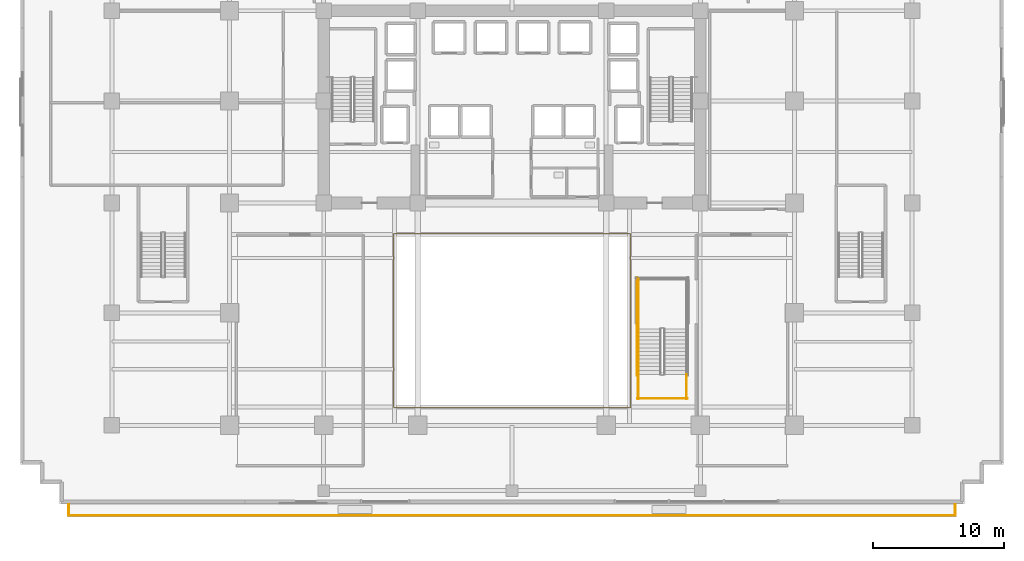
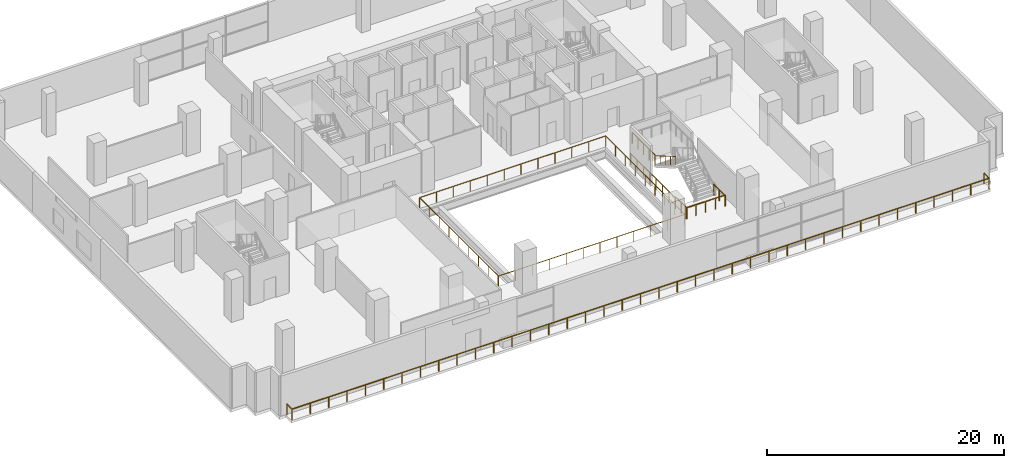
# One storey, part 18 of 22: 8 railings.
"""IFC4 building model written with IfcOpenShell, lengths in metres."""

from ifc_helpers import new_model, si_unit, direction, frame, origin, origin_2d, place, context, subcontext, project, spatial, rectangle, extrude, material, type_object, element, save


model = new_model("IFC4")

# Units and contexts
model_context = context("Model", 3, precision=1e-05, world=origin(), true_north=direction((0.0, 1.0)))
body_context = subcontext(model_context, "Body", "Model", "MODEL_VIEW")
ifc_project = project(units=[si_unit("LENGTHUNIT", "METRE"), si_unit("AREAUNIT", "SQUARE_METRE"), si_unit("VOLUMEUNIT", "CUBIC_METRE"), si_unit("PLANEANGLEUNIT", "RADIAN"), si_unit("MASSUNIT", "GRAM", prefix="KILO")], contexts=[model_context])

# Site, building, storey
site_placement = place(None, origin())
site = spatial("IfcSite", under=ifc_project, at=site_placement, CompositionType="ELEMENT")
building_placement = place(site_placement, origin())
building = spatial("IfcBuilding", under=site, at=building_placement, Name="Zarnakvel Exchange Tower", CompositionType="ELEMENT")
storey_placement = place(building_placement, frame((0.0, 0.0, 9.39990234375)))
storey = spatial("IfcBuildingStorey", under=building, at=storey_placement, Name="L02", CompositionType="ELEMENT", Elevation=9.39990234375)

# Railings
ifc_material_1 = material(Name="Architectural Bronze Anodised Aluminium", Category="aluminium")
railing_type_1 = type_object("IfcRailingType", Name="GR-02", PredefinedType="GUARDRAIL", material=ifc_material_1)
railing_1_placement = place(storey_placement, frame((-33.89990234375, -24.25, 0.0)))
element("IfcRailing", 1, at=railing_1_placement, inside=storey, type_object=railing_type_1, Name="L02 Podium Terrace Perimeter Guardrail", PredefinedType="GUARDRAIL", context=body_context, shape_type="SweptSolid", body=[
    extrude(rectangle(XDim=0.048095703125, YDim=0.048095703125, at=origin_2d()), frame((0.0, 0.0, 1.09619140625), z_axis=(0.0, -1.0, 0.0), x_axis=(1.0, 0.0, 0.0)), (0.0, 0.0, 1.0), 0.85009765625),
    extrude(rectangle(XDim=0.048095703125, YDim=0.048095703125, at=origin_2d()), frame((0.0, -0.85009765625, 1.09619140625), z_axis=(1.0, 0.0, 0.0), x_axis=(0.0, 1.0, 0.0)), (0.0, 0.0, 1.0), 67.7998046875),
    extrude(rectangle(XDim=0.048095703125, YDim=0.048095703125, at=origin_2d()), frame((67.7998046875, -0.85009765625, 1.09619140625), z_axis=(0.0, 1.0, 0.0), x_axis=(-1.0, 0.0, 0.0)), (0.0, 0.0, 1.0), 0.85009765625),
    extrude(rectangle(XDim=0.0419921875, YDim=0.0419921875, at=origin_2d()), origin(), (0.0, 0.0, 1.0), 1.072021484375),
    extrude(rectangle(XDim=0.0419921875, YDim=0.0419921875, at=origin_2d()), frame((0.0, -0.85009765625, 0.0)), (0.0, 0.0, 1.0), 1.072021484375),
    extrude(rectangle(XDim=0.0419921875, YDim=0.0419921875, at=origin_2d()), frame((1.7841796875, -0.85009765625, 0.0)), (0.0, 0.0, 1.0), 1.072021484375),
    extrude(rectangle(XDim=0.0419921875, YDim=0.0419921875, at=origin_2d()), frame((3.568359375, -0.85009765625, 0.0)), (0.0, 0.0, 1.0), 1.072021484375),
    extrude(rectangle(XDim=0.0419921875, YDim=0.0419921875, at=origin_2d()), frame((5.3525390625, -0.85009765625, 0.0)), (0.0, 0.0, 1.0), 1.072021484375),
    extrude(rectangle(XDim=0.0419921875, YDim=0.0419921875, at=origin_2d()), frame((7.13671875, -0.85009765625, 0.0)), (0.0, 0.0, 1.0), 1.072021484375),
    extrude(rectangle(XDim=0.0419921875, YDim=0.0419921875, at=origin_2d()), frame((8.921142578125, -0.85009765625, 0.0)), (0.0, 0.0, 1.0), 1.072021484375),
    extrude(rectangle(XDim=0.0419921875, YDim=0.0419921875, at=origin_2d()), frame((10.705322265625, -0.85009765625, 0.0)), (0.0, 0.0, 1.0), 1.072021484375),
    extrude(rectangle(XDim=0.0419921875, YDim=0.0419921875, at=origin_2d()), frame((12.489501953125, -0.85009765625, 0.0)), (0.0, 0.0, 1.0), 1.072021484375),
    extrude(rectangle(XDim=0.0419921875, YDim=0.0419921875, at=origin_2d()), frame((14.273681640625, -0.85009765625, 0.0)), (0.0, 0.0, 1.0), 1.072021484375),
    extrude(rectangle(XDim=0.0419921875, YDim=0.0419921875, at=origin_2d()), frame((16.057861328125, -0.85009765625, 0.0)), (0.0, 0.0, 1.0), 1.072021484375),
    extrude(rectangle(XDim=0.0419921875, YDim=0.0419921875, at=origin_2d()), frame((17.842041015625, -0.85009765625, 0.0)), (0.0, 0.0, 1.0), 1.072021484375),
    extrude(rectangle(XDim=0.0419921875, YDim=0.0419921875, at=origin_2d()), frame((19.626220703125, -0.85009765625, 0.0)), (0.0, 0.0, 1.0), 1.072021484375),
    extrude(rectangle(XDim=0.0419921875, YDim=0.0419921875, at=origin_2d()), frame((21.410400390625, -0.85009765625, 0.0)), (0.0, 0.0, 1.0), 1.072021484375),
    extrude(rectangle(XDim=0.0419921875, YDim=0.0419921875, at=origin_2d()), frame((23.194580078125, -0.85009765625, 0.0)), (0.0, 0.0, 1.0), 1.072021484375),
    extrude(rectangle(XDim=0.0419921875, YDim=0.0419921875, at=origin_2d()), frame((24.978759765625, -0.85009765625, 0.0)), (0.0, 0.0, 1.0), 1.072021484375),
    extrude(rectangle(XDim=0.0419921875, YDim=0.0419921875, at=origin_2d()), frame((26.76318359375, -0.85009765625, 0.0)), (0.0, 0.0, 1.0), 1.072021484375),
    extrude(rectangle(XDim=0.0419921875, YDim=0.0419921875, at=origin_2d()), frame((28.54736328125, -0.85009765625, 0.0)), (0.0, 0.0, 1.0), 1.072021484375),
    extrude(rectangle(XDim=0.0419921875, YDim=0.0419921875, at=origin_2d()), frame((30.33154296875, -0.85009765625, 0.0)), (0.0, 0.0, 1.0), 1.072021484375),
    extrude(rectangle(XDim=0.0419921875, YDim=0.0419921875, at=origin_2d()), frame((32.11572265625, -0.85009765625, 0.0)), (0.0, 0.0, 1.0), 1.072021484375),
    extrude(rectangle(XDim=0.0419921875, YDim=0.0419921875, at=origin_2d()), frame((33.89990234375, -0.85009765625, 0.0)), (0.0, 0.0, 1.0), 1.072021484375),
    extrude(rectangle(XDim=0.0419921875, YDim=0.0419921875, at=origin_2d()), frame((35.68408203125, -0.85009765625, 0.0)), (0.0, 0.0, 1.0), 1.072021484375),
    extrude(rectangle(XDim=0.0419921875, YDim=0.0419921875, at=origin_2d()), frame((37.46826171875, -0.85009765625, 0.0)), (0.0, 0.0, 1.0), 1.072021484375),
    extrude(rectangle(XDim=0.0419921875, YDim=0.0419921875, at=origin_2d()), frame((39.25244140625, -0.85009765625, 0.0)), (0.0, 0.0, 1.0), 1.072021484375),
    extrude(rectangle(XDim=0.0419921875, YDim=0.0419921875, at=origin_2d()), frame((41.03662109375, -0.85009765625, 0.0)), (0.0, 0.0, 1.0), 1.072021484375),
    extrude(rectangle(XDim=0.0419921875, YDim=0.0419921875, at=origin_2d()), frame((42.821044921875, -0.85009765625, 0.0)), (0.0, 0.0, 1.0), 1.072021484375),
    extrude(rectangle(XDim=0.0419921875, YDim=0.0419921875, at=origin_2d()), frame((44.605224609375, -0.85009765625, 0.0)), (0.0, 0.0, 1.0), 1.072021484375),
    extrude(rectangle(XDim=0.0419921875, YDim=0.0419921875, at=origin_2d()), frame((46.389404296875, -0.85009765625, 0.0)), (0.0, 0.0, 1.0), 1.072021484375),
    extrude(rectangle(XDim=0.0419921875, YDim=0.0419921875, at=origin_2d()), frame((48.173583984375, -0.85009765625, 0.0)), (0.0, 0.0, 1.0), 1.072021484375),
    extrude(rectangle(XDim=0.0419921875, YDim=0.0419921875, at=origin_2d()), frame((49.957763671875, -0.85009765625, 0.0)), (0.0, 0.0, 1.0), 1.072021484375),
    extrude(rectangle(XDim=0.0419921875, YDim=0.0419921875, at=origin_2d()), frame((51.741943359375, -0.85009765625, 0.0)), (0.0, 0.0, 1.0), 1.072021484375),
    extrude(rectangle(XDim=0.0419921875, YDim=0.0419921875, at=origin_2d()), frame((53.526123046875, -0.85009765625, 0.0)), (0.0, 0.0, 1.0), 1.072021484375),
    extrude(rectangle(XDim=0.0419921875, YDim=0.0419921875, at=origin_2d()), frame((55.310302734375, -0.85009765625, 0.0)), (0.0, 0.0, 1.0), 1.072021484375),
    extrude(rectangle(XDim=0.0419921875, YDim=0.0419921875, at=origin_2d()), frame((57.094482421875, -0.85009765625, 0.0)), (0.0, 0.0, 1.0), 1.072021484375),
    extrude(rectangle(XDim=0.0419921875, YDim=0.0419921875, at=origin_2d()), frame((58.878662109375, -0.85009765625, 0.0)), (0.0, 0.0, 1.0), 1.072021484375),
    extrude(rectangle(XDim=0.0419921875, YDim=0.0419921875, at=origin_2d()), frame((60.6630859375, -0.85009765625, 0.0)), (0.0, 0.0, 1.0), 1.072021484375),
    extrude(rectangle(XDim=0.0419921875, YDim=0.0419921875, at=origin_2d()), frame((62.447265625, -0.85009765625, 0.0)), (0.0, 0.0, 1.0), 1.072021484375),
    extrude(rectangle(XDim=0.0419921875, YDim=0.0419921875, at=origin_2d()), frame((64.2314453125, -0.85009765625, 0.0)), (0.0, 0.0, 1.0), 1.072021484375),
    extrude(rectangle(XDim=0.0419921875, YDim=0.0419921875, at=origin_2d()), frame((66.015625, -0.85009765625, 0.0)), (0.0, 0.0, 1.0), 1.072021484375),
    extrude(rectangle(XDim=0.0419921875, YDim=0.0419921875, at=origin_2d()), frame((67.7998046875, -0.85009765625, 0.0)), (0.0, 0.0, 1.0), 1.072021484375),
    extrude(rectangle(XDim=0.0419921875, YDim=0.0419921875, at=origin_2d()), frame((67.7998046875, 0.0, 0.0)), (0.0, 0.0, 1.0), 1.072021484375),
])
railing_type_2 = type_object("IfcRailingType", Name="GR-03", PredefinedType="GUARDRAIL", material=ifc_material_1)
railing_2_placement = place(storey_placement, frame((-9.050048828125, -16.85009765625, 0.0)))
element("IfcRailing", 2, at=railing_2_placement, inside=storey, type_object=railing_type_2, Name="L02 Atrium Void Perimeter Balustrade", PredefinedType="GUARDRAIL", context=body_context, shape_type="SweptSolid", body=[
    extrude(rectangle(XDim=0.048095703125, YDim=0.048095703125, at=origin_2d()), frame((0.0, 0.0, 1.076171875), z_axis=(1.0, 0.0, 0.0), x_axis=(0.0, 1.0, 0.0)), (0.0, 0.0, 1.0), 18.10009765625),
    extrude(rectangle(XDim=0.048095703125, YDim=0.048095703125, at=origin_2d()), frame((18.10009765625, 0.0, 1.076171875), z_axis=(0.0, 1.0, 0.0), x_axis=(-1.0, 0.0, 0.0)), (0.0, 0.0, 1.0), 13.300048828125),
    extrude(rectangle(XDim=0.048095703125, YDim=0.048095703125, at=origin_2d()), frame((18.10009765625, 13.300048828125, 1.076171875), z_axis=(-1.0, 0.0, 0.0), x_axis=(0.0, -1.0, 0.0)), (0.0, 0.0, 1.0), 18.10009765625),
    extrude(rectangle(XDim=0.048095703125, YDim=0.048095703125, at=origin_2d()), frame((0.0, 13.300048828125, 1.076171875), z_axis=(0.0, -1.0, 0.0), x_axis=(1.0, 0.0, 0.0)), (0.0, 0.0, 1.0), 13.219970703125),
    extrude(rectangle(XDim=0.0419921875, YDim=0.0419921875, at=origin_2d()), origin(), (0.0, 0.0, 1.0), 1.052001953125),
    extrude(rectangle(XDim=0.0419921875, YDim=0.0419921875, at=origin_2d()), frame((1.6455078125, 0.0, 0.0)), (0.0, 0.0, 1.0), 1.052001953125),
    extrude(rectangle(XDim=0.0419921875, YDim=0.0419921875, at=origin_2d()), frame((3.291015625, 0.0, 0.0)), (0.0, 0.0, 1.0), 1.052001953125),
    extrude(rectangle(XDim=0.0419921875, YDim=0.0419921875, at=origin_2d()), frame((4.936279296875, 0.0, 0.0)), (0.0, 0.0, 1.0), 1.052001953125),
    extrude(rectangle(XDim=0.0419921875, YDim=0.0419921875, at=origin_2d()), frame((6.581787109375, 0.0, 0.0)), (0.0, 0.0, 1.0), 1.052001953125),
    extrude(rectangle(XDim=0.0419921875, YDim=0.0419921875, at=origin_2d()), frame((8.227294921875, 0.0, 0.0)), (0.0, 0.0, 1.0), 1.052001953125),
    extrude(rectangle(XDim=0.0419921875, YDim=0.0419921875, at=origin_2d()), frame((9.872802734375, 0.0, 0.0)), (0.0, 0.0, 1.0), 1.052001953125),
    extrude(rectangle(XDim=0.0419921875, YDim=0.0419921875, at=origin_2d()), frame((11.518310546875, 0.0, 0.0)), (0.0, 0.0, 1.0), 1.052001953125),
    extrude(rectangle(XDim=0.0419921875, YDim=0.0419921875, at=origin_2d()), frame((13.163818359375, 0.0, 0.0)), (0.0, 0.0, 1.0), 1.052001953125),
    extrude(rectangle(XDim=0.0419921875, YDim=0.0419921875, at=origin_2d()), frame((14.80908203125, 0.0, 0.0)), (0.0, 0.0, 1.0), 1.052001953125),
    extrude(rectangle(XDim=0.0419921875, YDim=0.0419921875, at=origin_2d()), frame((16.45458984375, 0.0, 0.0)), (0.0, 0.0, 1.0), 1.052001953125),
    extrude(rectangle(XDim=0.0419921875, YDim=0.0419921875, at=origin_2d()), frame((18.10009765625, 0.0, 0.0)), (0.0, 0.0, 1.0), 1.052001953125),
    extrude(rectangle(XDim=0.0419921875, YDim=0.0419921875, at=origin_2d()), frame((18.10009765625, 1.66259765625, 0.0)), (0.0, 0.0, 1.0), 1.052001953125),
    extrude(rectangle(XDim=0.0419921875, YDim=0.0419921875, at=origin_2d()), frame((18.10009765625, 3.324951171875, 0.0)), (0.0, 0.0, 1.0), 1.052001953125),
    extrude(rectangle(XDim=0.0419921875, YDim=0.0419921875, at=origin_2d()), frame((18.10009765625, 4.987548828125, 0.0)), (0.0, 0.0, 1.0), 1.052001953125),
    extrude(rectangle(XDim=0.0419921875, YDim=0.0419921875, at=origin_2d()), frame((18.10009765625, 6.64990234375, 0.0)), (0.0, 0.0, 1.0), 1.052001953125),
    extrude(rectangle(XDim=0.0419921875, YDim=0.0419921875, at=origin_2d()), frame((18.10009765625, 8.3125, 0.0)), (0.0, 0.0, 1.0), 1.052001953125),
    extrude(rectangle(XDim=0.0419921875, YDim=0.0419921875, at=origin_2d()), frame((18.10009765625, 9.97509765625, 0.0)), (0.0, 0.0, 1.0), 1.052001953125),
    extrude(rectangle(XDim=0.0419921875, YDim=0.0419921875, at=origin_2d()), frame((18.10009765625, 11.637451171875, 0.0)), (0.0, 0.0, 1.0), 1.052001953125),
    extrude(rectangle(XDim=0.0419921875, YDim=0.0419921875, at=origin_2d()), frame((18.10009765625, 13.300048828125, 0.0)), (0.0, 0.0, 1.0), 1.052001953125),
    extrude(rectangle(XDim=0.0419921875, YDim=0.0419921875, at=origin_2d()), frame((16.45458984375, 13.300048828125, 0.0)), (0.0, 0.0, 1.0), 1.052001953125),
    extrude(rectangle(XDim=0.0419921875, YDim=0.0419921875, at=origin_2d()), frame((14.80908203125, 13.300048828125, 0.0)), (0.0, 0.0, 1.0), 1.052001953125),
    extrude(rectangle(XDim=0.0419921875, YDim=0.0419921875, at=origin_2d()), frame((13.163818359375, 13.300048828125, 0.0)), (0.0, 0.0, 1.0), 1.052001953125),
    extrude(rectangle(XDim=0.0419921875, YDim=0.0419921875, at=origin_2d()), frame((11.518310546875, 13.300048828125, 0.0)), (0.0, 0.0, 1.0), 1.052001953125),
    extrude(rectangle(XDim=0.0419921875, YDim=0.0419921875, at=origin_2d()), frame((9.872802734375, 13.300048828125, 0.0)), (0.0, 0.0, 1.0), 1.052001953125),
    extrude(rectangle(XDim=0.0419921875, YDim=0.0419921875, at=origin_2d()), frame((8.227294921875, 13.300048828125, 0.0)), (0.0, 0.0, 1.0), 1.052001953125),
    extrude(rectangle(XDim=0.0419921875, YDim=0.0419921875, at=origin_2d()), frame((6.581787109375, 13.300048828125, 0.0)), (0.0, 0.0, 1.0), 1.052001953125),
    extrude(rectangle(XDim=0.0419921875, YDim=0.0419921875, at=origin_2d()), frame((4.936279296875, 13.300048828125, 0.0)), (0.0, 0.0, 1.0), 1.052001953125),
    extrude(rectangle(XDim=0.0419921875, YDim=0.0419921875, at=origin_2d()), frame((3.291015625, 13.300048828125, 0.0)), (0.0, 0.0, 1.0), 1.052001953125),
    extrude(rectangle(XDim=0.0419921875, YDim=0.0419921875, at=origin_2d()), frame((1.6455078125, 13.300048828125, 0.0)), (0.0, 0.0, 1.0), 1.052001953125),
    extrude(rectangle(XDim=0.0419921875, YDim=0.0419921875, at=origin_2d()), frame((0.0, 13.300048828125, 0.0)), (0.0, 0.0, 1.0), 1.052001953125),
    extrude(rectangle(XDim=0.0419921875, YDim=0.0419921875, at=origin_2d()), frame((0.0, 11.6474609375, 0.0)), (0.0, 0.0, 1.0), 1.052001953125),
    extrude(rectangle(XDim=0.0419921875, YDim=0.0419921875, at=origin_2d()), frame((0.0, 9.9951171875, 0.0)), (0.0, 0.0, 1.0), 1.052001953125),
    extrude(rectangle(XDim=0.0419921875, YDim=0.0419921875, at=origin_2d()), frame((0.0, 8.342529296875, 0.0)), (0.0, 0.0, 1.0), 1.052001953125),
    extrude(rectangle(XDim=0.0419921875, YDim=0.0419921875, at=origin_2d()), frame((0.0, 6.68994140625, 0.0)), (0.0, 0.0, 1.0), 1.052001953125),
    extrude(rectangle(XDim=0.0419921875, YDim=0.0419921875, at=origin_2d()), frame((0.0, 5.03759765625, 0.0)), (0.0, 0.0, 1.0), 1.052001953125),
    extrude(rectangle(XDim=0.0419921875, YDim=0.0419921875, at=origin_2d()), frame((0.0, 3.385009765625, 0.0)), (0.0, 0.0, 1.0), 1.052001953125),
    extrude(rectangle(XDim=0.0419921875, YDim=0.0419921875, at=origin_2d()), frame((0.0, 1.732666015625, 0.0)), (0.0, 0.0, 1.0), 1.052001953125),
    extrude(rectangle(XDim=0.0419921875, YDim=0.0419921875, at=origin_2d()), frame((0.0, 0.080078125, 0.0)), (0.0, 0.0, 1.0), 1.052001953125),
])
ifc_material_2 = material(Name="Brushed Stainless Steel", Category="steel")
railing_type_3 = type_object("IfcRailingType", Name="HR-01", PredefinedType="HANDRAIL", material=ifc_material_2)
railing_3_placement = place(storey_placement, frame((9.64990234375, -10.820068359375, 2.369384765625)))
element("IfcRailing", 3, at=railing_3_placement, inside=storey, type_object=railing_type_3, Name="L02 ST-06 stair handrail 2", PredefinedType="HANDRAIL", context=body_context, shape_type="SweptSolid", body=[
    extrude(rectangle(XDim=0.048095703125, YDim=0.048095703125, at=origin_2d()), frame((0.0, 0.0, 0.8759765625), z_axis=(0.0, -0.863695377172, 0.504014181796), x_axis=(1.0, 0.0, 0.0)), (0.0, 0.0, 1.0), 4.029296875),
    extrude(rectangle(XDim=0.0419921875, YDim=0.0419921875, at=origin_2d()), origin(), (0.0, 0.0, 1.0), 0.851806640625),
    extrude(rectangle(XDim=0.0419921875, YDim=0.0419921875, at=origin_2d()), frame((0.0, -0.8701171875, 0.5078125)), (0.0, 0.0, 1.0), 0.851806640625),
    extrude(rectangle(XDim=0.0419921875, YDim=0.0419921875, at=origin_2d()), frame((0.0, -1.739990234375, 1.015380859375)), (0.0, 0.0, 1.0), 0.851806640625),
    extrude(rectangle(XDim=0.0419921875, YDim=0.0419921875, at=origin_2d()), frame((0.0, -2.60986328125, 1.52294921875)), (0.0, 0.0, 1.0), 0.851806640625),
    extrude(rectangle(XDim=0.0419921875, YDim=0.0419921875, at=origin_2d()), frame((0.0, -3.47998046875, 2.03076171875)), (0.0, 0.0, 1.0), 0.851806640625),
])
railing_type_4 = type_object("IfcRailingType", Name="SG-01", PredefinedType="GUARDRAIL", material=ifc_material_1)
railing_4_placement = place(storey_placement, frame((9.64990234375, -10.820068359375, 2.2001953125)))
element("IfcRailing", 4, at=railing_4_placement, inside=storey, type_object=railing_type_4, Name="L02 ST-06 stair guard 4", PredefinedType="GUARDRAIL", context=body_context, shape_type="SweptSolid", body=[
    extrude(rectangle(XDim=0.048095703125, YDim=0.048095703125, at=origin_2d()), frame((0.0, 0.0, 1.1259765625), z_axis=(0.0, 1.0, 0.0), x_axis=(-1.0, 0.0, 0.0)), (0.0, 0.0, 1.0), 3.820068359375),
    extrude(rectangle(XDim=0.0419921875, YDim=0.0419921875, at=origin_2d()), origin(), (0.0, 0.0, 1.0), 1.101806640625),
    extrude(rectangle(XDim=0.0419921875, YDim=0.0419921875, at=origin_2d()), frame((0.0, 0.955078125, 0.0)), (0.0, 0.0, 1.0), 1.101806640625),
    extrude(rectangle(XDim=0.0419921875, YDim=0.0419921875, at=origin_2d()), frame((0.0, 1.91015625, 0.0)), (0.0, 0.0, 1.0), 1.101806640625),
    extrude(rectangle(XDim=0.0419921875, YDim=0.0419921875, at=origin_2d()), frame((0.0, 2.864990234375, 0.0)), (0.0, 0.0, 1.0), 1.101806640625),
    extrude(rectangle(XDim=0.0419921875, YDim=0.0419921875, at=origin_2d()), frame((0.0, 3.820068359375, 0.0)), (0.0, 0.0, 1.0), 1.101806640625),
])
for number, where, name in (
    (5, (13.35009765625, -16.199951171875, 0.0), "L02 ST-06 stair guard 8"),
    (6, (9.64990234375, -16.199951171875, 0.0), "L02 ST-06 stair guard 9"),
):
    element("IfcRailing", number, at=place(storey_placement, frame(where)), inside=storey, type_object=railing_type_4, Name=name, PredefinedType="GUARDRAIL", context=body_context, shape_type="SweptSolid", body=[
        extrude(rectangle(XDim=0.048095703125, YDim=0.048095703125, at=origin_2d()), frame((0.0, 0.0, 1.1259765625), z_axis=(0.0, 1.0, 0.0), x_axis=(-1.0, 0.0, 0.0)), (0.0, 0.0, 1.0), 1.89990234375),
        extrude(rectangle(XDim=0.0419921875, YDim=0.0419921875, at=origin_2d()), origin(), (0.0, 0.0, 1.0), 1.101806640625),
        extrude(rectangle(XDim=0.0419921875, YDim=0.0419921875, at=origin_2d()), frame((0.0, 0.949951171875, 0.0)), (0.0, 0.0, 1.0), 1.101806640625),
        extrude(rectangle(XDim=0.0419921875, YDim=0.0419921875, at=origin_2d()), frame((0.0, 1.89990234375, 0.0)), (0.0, 0.0, 1.0), 1.101806640625),
    ])
railing_5_placement = place(storey_placement, frame((13.39990234375, -16.14990234375, 0.0)))
element("IfcRailing", 7, at=railing_5_placement, inside=storey, type_object=railing_type_4, Name="L02 ST-06 stair guard 10", PredefinedType="GUARDRAIL", context=body_context, shape_type="SweptSolid", body=[
    extrude(rectangle(XDim=0.048095703125, YDim=0.048095703125, at=origin_2d()), frame((0.0, 0.0, 1.1259765625), z_axis=(-1.0, 0.0, 0.0), x_axis=(0.0, -1.0, 0.0)), (0.0, 0.0, 1.0), 3.7998046875),
    extrude(rectangle(XDim=0.0419921875, YDim=0.0419921875, at=origin_2d()), origin(), (0.0, 0.0, 1.0), 1.101806640625),
    extrude(rectangle(XDim=0.0419921875, YDim=0.0419921875, at=origin_2d()), frame((-0.949951171875, 0.0, 0.0)), (0.0, 0.0, 1.0), 1.101806640625),
    extrude(rectangle(XDim=0.0419921875, YDim=0.0419921875, at=origin_2d()), frame((-1.89990234375, 0.0, 0.0)), (0.0, 0.0, 1.0), 1.101806640625),
    extrude(rectangle(XDim=0.0419921875, YDim=0.0419921875, at=origin_2d()), frame((-2.849853515625, 0.0, 0.0)), (0.0, 0.0, 1.0), 1.101806640625),
    extrude(rectangle(XDim=0.0419921875, YDim=0.0419921875, at=origin_2d()), frame((-3.7998046875, 0.0, 0.0)), (0.0, 0.0, 1.0), 1.101806640625),
])
railing_6_placement = place(storey_placement, frame((9.550048828125, -14.39990234375, 0.0)))
element("IfcRailing", 8, at=railing_6_placement, inside=storey, type_object=railing_type_4, Name="L02 ST-06 stair guard 12", PredefinedType="GUARDRAIL", context=body_context, shape_type="SweptSolid", body=[
    extrude(rectangle(XDim=0.048095703125, YDim=0.048095703125, at=origin_2d()), frame((0.0, 0.0, 1.1259765625), z_axis=(0.0, 1.0, 0.0), x_axis=(-1.0, 0.0, 0.0)), (0.0, 0.0, 1.0), 7.5),
    extrude(rectangle(XDim=0.0419921875, YDim=0.0419921875, at=origin_2d()), origin(), (0.0, 0.0, 1.0), 1.101806640625),
    extrude(rectangle(XDim=0.0419921875, YDim=0.0419921875, at=origin_2d()), frame((0.0, 1.071533203125, 0.0)), (0.0, 0.0, 1.0), 1.101806640625),
    extrude(rectangle(XDim=0.0419921875, YDim=0.0419921875, at=origin_2d()), frame((0.0, 2.142822265625, 0.0)), (0.0, 0.0, 1.0), 1.101806640625),
    extrude(rectangle(XDim=0.0419921875, YDim=0.0419921875, at=origin_2d()), frame((0.0, 3.21435546875, 0.0)), (0.0, 0.0, 1.0), 1.101806640625),
    extrude(rectangle(XDim=0.0419921875, YDim=0.0419921875, at=origin_2d()), frame((0.0, 4.28564453125, 0.0)), (0.0, 0.0, 1.0), 1.101806640625),
    extrude(rectangle(XDim=0.0419921875, YDim=0.0419921875, at=origin_2d()), frame((0.0, 5.357177734375, 0.0)), (0.0, 0.0, 1.0), 1.101806640625),
    extrude(rectangle(XDim=0.0419921875, YDim=0.0419921875, at=origin_2d()), frame((0.0, 6.428466796875, 0.0)), (0.0, 0.0, 1.0), 1.101806640625),
    extrude(rectangle(XDim=0.0419921875, YDim=0.0419921875, at=origin_2d()), frame((0.0, 7.5, 0.0)), (0.0, 0.0, 1.0), 1.101806640625),
])

save(model, "model.ifc")
